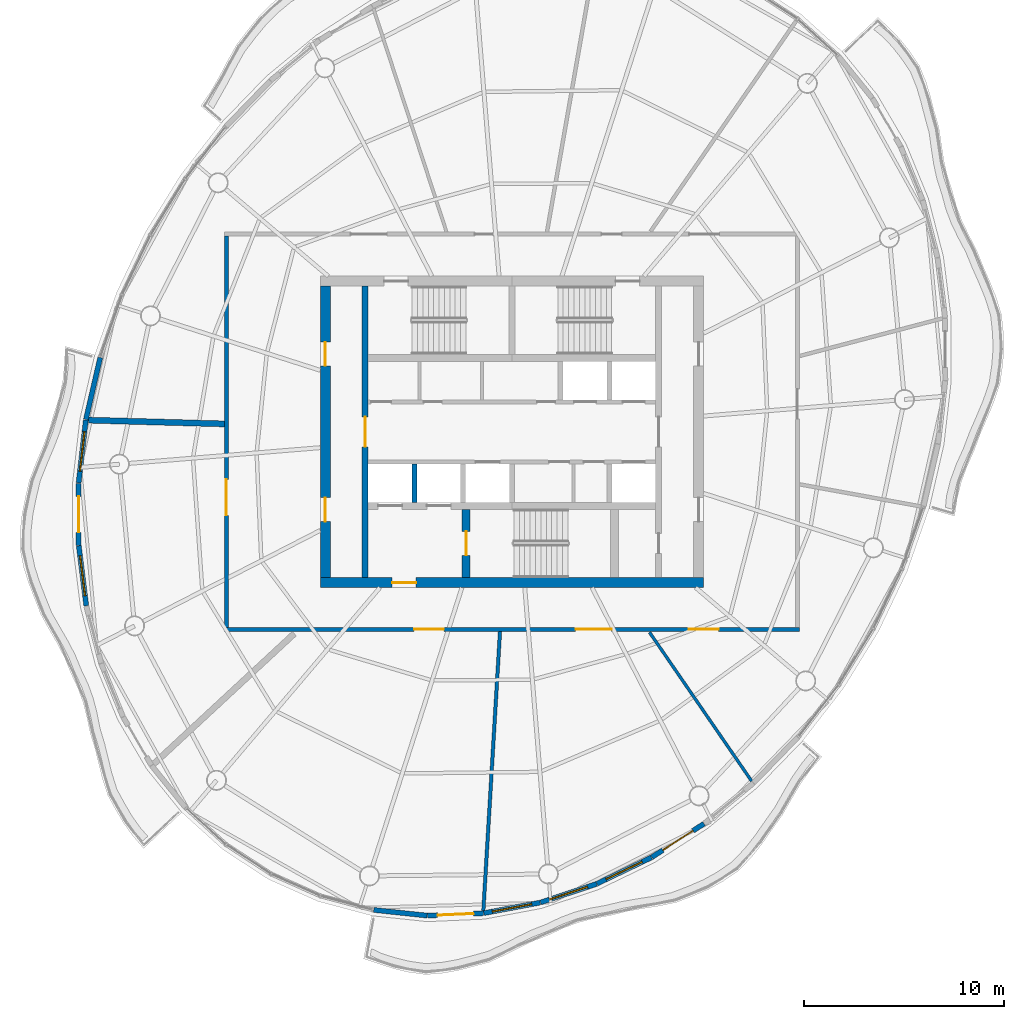
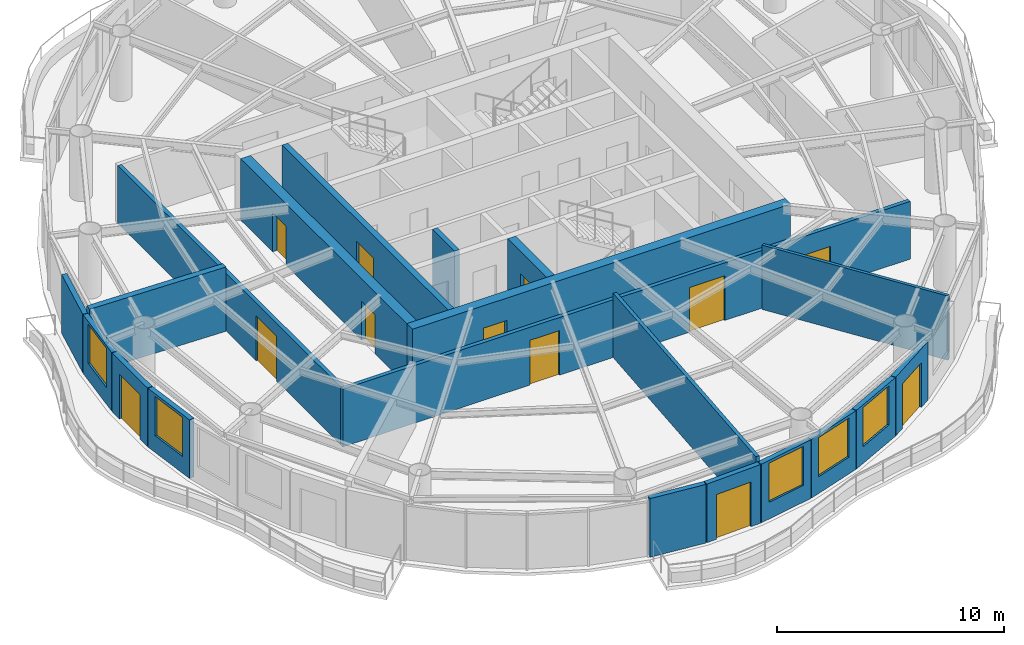
# One storey, part 7 of 13: 20 walls, 12 doors, 5 windows, 17 openings.
"""IFC4 building model written with IfcOpenShell, lengths in metres."""

from ifc_helpers import new_model, si_unit, direction, frame, frame_2d, origin, place, context, subcontext, project, spatial, rectangle, extrude, material, layer, layer_set, type_object, element, fill, save


model = new_model("IFC4")

# Units and contexts
model_context = context("Model", 3, precision=1e-05, world=origin(), true_north=direction((0.0, 1.0)))
body_context = subcontext(model_context, "Body", "Model", "MODEL_VIEW")
ifc_project = project(units=[si_unit("LENGTHUNIT", "METRE"), si_unit("AREAUNIT", "SQUARE_METRE"), si_unit("VOLUMEUNIT", "CUBIC_METRE"), si_unit("PLANEANGLEUNIT", "RADIAN"), si_unit("MASSUNIT", "GRAM", prefix="KILO")], contexts=[model_context])

# Site, building, storey
site_placement = place(None, origin())
site = spatial("IfcSite", under=ifc_project, at=site_placement, CompositionType="ELEMENT")
building_placement = place(site_placement, origin())
building = spatial("IfcBuilding", under=site, at=building_placement, Name="Vermilion Reach Broadcast Tower", CompositionType="ELEMENT")
storey_placement = place(building_placement, frame((0.0, 0.0, 279.300048828125)))
storey = spatial("IfcBuildingStorey", under=building, at=storey_placement, Name="L69", CompositionType="ELEMENT", Elevation=279.300048828125)

# Wall, opening, door
ifc_material_1 = material(Name="Concrete C50", Category="concrete")
ifc_layer_1 = layer(ifc_material_1, 0.300048828125)
ifc_layer_set_1 = layer_set([ifc_layer_1], Name="Core inner wall 300 mm Concrete C50")
wall_type_1 = type_object("IfcWallType", Name="Core inner wall 300 mm Concrete C50", PredefinedType="SHEAR", material=ifc_layer_set_1)
wall_1_placement = place(storey_placement, frame((-13.35009765625, 7.300048828125, 0.0), z_axis=(0.0, 0.0, 1.0), x_axis=(0.0, -1.0, 0.0)))
wall_1 = element("IfcWall", 1, at=wall_1_placement, inside=storey, type_object=wall_type_1, Name="L69 core wall ewW", PredefinedType="SHEAR", context=body_context, shape_type="SweptSolid", body=[
    extrude(rectangle(XDim=14.60009765625, YDim=0.300048828125, at=frame_2d((7.300048828125, 0.0))), origin(), (0.0, 0.0, 1.0), 3.300048828125),
])
opening_1_placement = place(wall_1_placement, frame((6.550048828125, 0.0, 0.0)))
opening_1 = element("IfcOpeningElement", 2, at=opening_1_placement, cuts=wall_1, Name="Opening D04", PredefinedType="OPENING", context=body_context, shape_type="SweptSolid", body=[
    extrude(rectangle(XDim=1.5, YDim=2.10009765625, at=frame_2d((0.75, 1.050048828125))), frame((0.0, 0.159912109375, 0.0), z_axis=(0.0, -1.0, 0.0), x_axis=(1.0, 0.0, 0.0)), (0.0, 0.0, 1.0), 0.320068359375),
])
ifc_material_2 = material(Name="Painted steel fire door", Category="steel")
door_type_1 = type_object("IfcDoorType", Name="Lift lobby door 1500 x 2100", OperationType="DOUBLE_DOOR_SINGLE_SWING", PredefinedType="NOTDEFINED", material=ifc_material_2)
door_1_placement = place(opening_1_placement, origin())
door_1 = element("IfcDoor", 3, at=door_1_placement, inside=storey, type_object=door_type_1, Name="L69 band door BW", OperationType="DOUBLE_DOOR_SINGLE_SWING", OverallHeight=2.10009765625, OverallWidth=1.5, PredefinedType="NOTDEFINED", context=body_context, shape_type="SweptSolid", body=[
    extrude(rectangle(XDim=1.5, YDim=2.10009765625, at=frame_2d((0.75, 1.050048828125))), frame((0.0, 0.02490234375, 0.0), z_axis=(0.0, -1.0, 0.0), x_axis=(1.0, 0.0, 0.0)), (0.0, 0.0, 1.0), 0.050048828125),
])
fill(opening_1, door_1)

ifc_material_3 = material(Name="Concrete C50", Category="concrete")
ifc_layer_2 = layer(ifc_material_3, 0.39990234375)
ifc_layer_set_2 = layer_set([ifc_layer_2], Name="Core inner wall 400 mm Concrete C50")
wall_type_2 = type_object("IfcWallType", Name="Core inner wall 400 mm Concrete C50", PredefinedType="SHEAR", material=ifc_layer_set_2)
wall_2_placement = place(storey_placement, frame((-8.300048828125, -3.8798828125, 0.0), z_axis=(0.0, 0.0, 1.0), x_axis=(0.0, -1.0, 0.0)))
wall_2 = element("IfcWall", 4, at=wall_2_placement, inside=storey, type_object=wall_type_2, Name="L69 core wall wa", PredefinedType="SHEAR", context=body_context, shape_type="SweptSolid", body=[
    extrude(rectangle(XDim=3.420166015625, YDim=0.39990234375, at=frame_2d((1.7099609375, 0.0))), origin(), (0.0, 0.0, 1.0), 3.300048828125),
])
opening_2_placement = place(wall_2_placement, frame((1.110107421875, 0.0, 0.0)))
opening_2 = element("IfcOpeningElement", 5, at=opening_2_placement, cuts=wall_2, Name="Opening D01", PredefinedType="OPENING", context=body_context, shape_type="SweptSolid", body=[
    extrude(rectangle(XDim=1.199951171875, YDim=2.10009765625, at=frame_2d((0.60009765625, 1.050048828125))), frame((0.0, 0.2099609375, 0.0), z_axis=(0.0, -1.0, 0.0), x_axis=(1.0, 0.0, 0.0)), (0.0, 0.0, 1.0), 0.419921875),
])
ifc_material_4 = material(Name="Painted steel fire door", Category="steel")
door_type_2 = type_object("IfcDoorType", Name="Stair door 1200 x 2100", OperationType="DOUBLE_DOOR_SINGLE_SWING", PredefinedType="NOTDEFINED", material=ifc_material_4)
door_2_placement = place(opening_2_placement, origin())
door_2 = element("IfcDoor", 6, at=door_2_placement, inside=storey, type_object=door_type_2, Name="L69 stair door ST3", OperationType="DOUBLE_DOOR_SINGLE_SWING", OverallHeight=2.10009765625, OverallWidth=1.199951171875, PredefinedType="NOTDEFINED", context=body_context, shape_type="SweptSolid", body=[
    extrude(rectangle(XDim=1.199951171875, YDim=2.10009765625, at=frame_2d((0.60009765625, 1.050048828125))), frame((0.0, 0.02490234375, 0.0), z_axis=(0.0, -1.0, 0.0), x_axis=(1.0, 0.0, 0.0)), (0.0, 0.0, 1.0), 0.050048828125),
])
fill(opening_2, door_2)

ifc_material_5 = material(Name="Concrete C50", Category="concrete")
ifc_layer_3 = layer(ifc_material_5, 0.5)
ifc_layer_set_3 = layer_set([ifc_layer_3], Name="Core outer wall 500 mm Concrete C50")
wall_type_3 = type_object("IfcWallType", Name="Core outer wall 500 mm Concrete C50", PredefinedType="SHEAR", material=ifc_layer_set_3)
wall_3_placement = place(storey_placement, frame((-15.60009765625, -7.550048828125, 0.0), z_axis=(0.0, 0.0, 1.0), x_axis=(1.0, 0.0, 0.0)))
wall_3 = element("IfcWall", 7, at=wall_3_placement, inside=storey, type_object=wall_type_3, Name="L69 core wall os", PredefinedType="SHEAR", context=body_context, shape_type="SweptSolid", body=[
    extrude(rectangle(XDim=19.2001953125, YDim=0.5, at=frame_2d((9.60009765625, 0.0))), origin(), (0.0, 0.0, 1.0), 3.300048828125),
])
opening_3_placement = place(wall_3_placement, frame((3.60009765625, 0.0, 0.0)))
opening_3 = element("IfcOpeningElement", 8, at=opening_3_placement, cuts=wall_3, Name="Opening D02", PredefinedType="OPENING", context=body_context, shape_type="SweptSolid", body=[
    extrude(rectangle(XDim=1.199951171875, YDim=2.10009765625, at=frame_2d((0.60009765625, 1.050048828125))), frame((0.0, 0.260009765625, 0.0), z_axis=(0.0, -1.0, 0.0), x_axis=(1.0, 0.0, 0.0)), (0.0, 0.0, 1.0), 0.52001953125),
])
ifc_material_6 = material(Name="Painted steel fire door", Category="steel")
door_type_3 = type_object("IfcDoorType", Name="Firefighting lobby door 1200 x 2100", OperationType="DOUBLE_DOOR_SINGLE_SWING", PredefinedType="NOTDEFINED", material=ifc_material_6)
door_3_placement = place(opening_3_placement, origin())
door_3 = element("IfcDoor", 9, at=door_3_placement, inside=storey, type_object=door_type_3, Name="L69 ffdoor door FFL", OperationType="DOUBLE_DOOR_SINGLE_SWING", OverallHeight=2.10009765625, OverallWidth=1.199951171875, PredefinedType="NOTDEFINED", context=body_context, shape_type="SweptSolid", body=[
    extrude(rectangle(XDim=1.199951171875, YDim=2.10009765625, at=frame_2d((0.60009765625, 1.050048828125))), frame((0.0, 0.02490234375, 0.0), z_axis=(0.0, -1.0, 0.0), x_axis=(1.0, 0.0, 0.0)), (0.0, 0.0, 1.0), 0.050048828125),
])
fill(opening_3, door_3)

# Wall, openings, doors
wall_4_placement = place(storey_placement, frame((-15.35009765625, 7.300048828125, 0.0), z_axis=(0.0, 0.0, 1.0), x_axis=(0.0, -1.0, 0.0)))
wall_4 = element("IfcWall", 10, at=wall_4_placement, inside=storey, type_object=wall_type_3, Name="L69 core wall ow", PredefinedType="SHEAR", context=body_context, shape_type="SweptSolid", body=[
    extrude(rectangle(XDim=14.60009765625, YDim=0.5, at=frame_2d((7.300048828125, 0.0))), origin(), (0.0, 0.0, 1.0), 3.300048828125),
])
opening_4_placement = place(wall_4_placement, frame((10.60009765625, 0.0, 0.0)))
opening_4 = element("IfcOpeningElement", 11, at=opening_4_placement, cuts=wall_4, Name="Opening D03", PredefinedType="OPENING", context=body_context, shape_type="SweptSolid", body=[
    extrude(rectangle(XDim=1.199951171875, YDim=2.10009765625, at=frame_2d((0.60009765625, 1.050048828125))), frame((0.0, 0.260009765625, 0.0), z_axis=(0.0, -1.0, 0.0), x_axis=(1.0, 0.0, 0.0)), (0.0, 0.0, 1.0), 0.52001953125),
])
opening_5_placement = place(wall_4_placement, frame((2.800048828125, 0.0, 0.0)))
opening_5 = element("IfcOpeningElement", 12, at=opening_5_placement, cuts=wall_4, Name="Opening D03", PredefinedType="OPENING", context=body_context, shape_type="SweptSolid", body=[
    extrude(rectangle(XDim=1.199951171875, YDim=2.10009765625, at=frame_2d((0.60009765625, 1.050048828125))), frame((0.0, 0.260009765625, 0.0), z_axis=(0.0, -1.0, 0.0), x_axis=(1.0, 0.0, 0.0)), (0.0, 0.0, 1.0), 0.52001953125),
])
ifc_material_7 = material(Name="Painted steel fire door", Category="steel")
door_type_4 = type_object("IfcDoorType", Name="Core lobby door 1200 x 2100", OperationType="DOUBLE_DOOR_SINGLE_SWING", PredefinedType="NOTDEFINED", material=ifc_material_7)
door_4_placement = place(opening_4_placement, origin())
door_4 = element("IfcDoor", 13, at=door_4_placement, inside=storey, type_object=door_type_4, Name="L69 slot door W0", OperationType="DOUBLE_DOOR_SINGLE_SWING", OverallHeight=2.10009765625, OverallWidth=1.199951171875, PredefinedType="NOTDEFINED", context=body_context, shape_type="SweptSolid", body=[
    extrude(rectangle(XDim=1.199951171875, YDim=2.10009765625, at=frame_2d((0.60009765625, 1.050048828125))), frame((0.0, 0.02490234375, 0.0), z_axis=(0.0, -1.0, 0.0), x_axis=(1.0, 0.0, 0.0)), (0.0, 0.0, 1.0), 0.050048828125),
])
fill(opening_4, door_4)
door_5_placement = place(opening_5_placement, origin())
door_5 = element("IfcDoor", 14, at=door_5_placement, inside=storey, type_object=door_type_4, Name="L69 slot door W1", OperationType="DOUBLE_DOOR_SINGLE_SWING", OverallHeight=2.10009765625, OverallWidth=1.199951171875, PredefinedType="NOTDEFINED", context=body_context, shape_type="SweptSolid", body=[
    extrude(rectangle(XDim=1.199951171875, YDim=2.10009765625, at=frame_2d((0.60009765625, 1.050048828125))), frame((0.0, 0.02490234375, 0.0), z_axis=(0.0, -1.0, 0.0), x_axis=(1.0, 0.0, 0.0)), (0.0, 0.0, 1.0), 0.050048828125),
])
fill(opening_5, door_5)

# Walls
ifc_material_8 = material(Name="Concrete C50", Category="concrete")
ifc_layer_4 = layer(ifc_material_8, 0.25)
ifc_layer_set_4 = layer_set([ifc_layer_4], Name="Core shaft wall 250 mm Concrete C50")
wall_type_4 = type_object("IfcWallType", Name="Core shaft wall 250 mm Concrete C50", PredefinedType="SHEAR", material=ifc_layer_set_4)
wall_5_placement = place(storey_placement, frame((-10.88330078125, -1.60009765625, 0.0), z_axis=(0.0, 0.0, 1.0), x_axis=(0.0, -1.0, 0.0)))
element("IfcWall", 15, at=wall_5_placement, inside=storey, type_object=wall_type_4, Name="L69 core wall psS0", PredefinedType="SHEAR", context=body_context, shape_type="SweptSolid", body=[
    extrude(rectangle(XDim=1.929931640625, YDim=0.25, at=frame_2d((0.96484375, 0.0))), origin(), (0.0, 0.0, 1.0), 3.300048828125),
])
ifc_material_9 = material(Name="Lightweight concrete block, plastered", Category="concrete")
ifc_layer_5 = layer(ifc_material_9, 0.14990234375)
ifc_layer_set_5 = layer_set([ifc_layer_5], Name="Partition 150 lightweight block")
wall_type_5 = type_object("IfcWallType", Name="Partition 150 lightweight block", PredefinedType="PARTITIONING", material=ifc_layer_set_5)
wall_6_placement = place(storey_placement, frame((6.012939453125, -17.5029296875, 0.0), z_axis=(0.0, 0.0, 1.0), x_axis=(-0.565875944345, 0.824490397525, 0.0)))
element("IfcWall", 16, at=wall_6_placement, inside=storey, type_object=wall_type_5, Name="Partition 69.06", PredefinedType="PARTITIONING", context=body_context, shape_type="SweptSolid", body=[
    extrude(rectangle(XDim=9.048583984375, YDim=0.14990234375, at=frame_2d((4.5244140625, 0.0))), origin(), (0.0, 0.0, 1.0), 3.449951171875),
])
ifc_material_10 = material(Name="Fire-rated block, plastered")
ifc_layer_6 = layer(ifc_material_10, 0.175048828125)
ifc_layer_set_6 = layer_set([ifc_layer_6], Name="Partition 175 fire-rated block")
wall_type_6 = type_object("IfcWallType", Name="Partition 175 fire-rated block", PredefinedType="PARTITIONING", material=ifc_layer_set_6)
wall_7_placement = place(storey_placement, frame((-7.43115234375, -23.989501953125, 0.0), z_axis=(0.0, 0.0, 1.0), x_axis=(0.059548467955, 0.998225415407, 0.0)))
element("IfcWall", 17, at=wall_7_placement, inside=storey, type_object=wall_type_6, Name="Partition 69.05", PredefinedType="PARTITIONING", context=body_context, shape_type="SweptSolid", body=[
    extrude(rectangle(XDim=14.00927734375, YDim=0.175048828125, at=frame_2d((7.004638671875, 0.0))), origin(), (0.0, 0.0, 1.0), 3.449951171875),
])
ifc_material_11 = material(Name="Double-leaf plasterboard on isolated steel stud", Category="steel")
ifc_layer_7 = layer(ifc_material_11, 0.300048828125)
ifc_layer_set_7 = layer_set([ifc_layer_7], Name="Partition 300 acoustic double leaf")
wall_type_7 = type_object("IfcWallType", Name="Partition 300 acoustic double leaf", PredefinedType="PARTITIONING", material=ifc_layer_set_7)
wall_8_placement = place(storey_placement, frame((-27.220703125, 0.586669921875, 0.0), z_axis=(0.0, 0.0, 1.0), x_axis=(0.999617973276, -0.027638876665, 0.0)))
element("IfcWall", 18, at=wall_8_placement, inside=storey, type_object=wall_type_7, Name="Partition 69.03", PredefinedType="PARTITIONING", context=body_context, shape_type="SweptSolid", body=[
    extrude(rectangle(XDim=6.8193359375, YDim=0.300048828125, at=frame_2d((3.40966796875, 0.0))), origin(), (0.0, 0.0, 1.0), 3.449951171875),
])
ifc_material_12 = material(Name="Terracotta rainscreen cladding", Category="masonry")
ifc_layer_8 = layer(ifc_material_12, 0.25)
ifc_layer_set_8 = layer_set([ifc_layer_8], Name="Terracotta rainscreen wall 250")
wall_type_8 = type_object("IfcWallType", Name="Terracotta rainscreen wall 250", PredefinedType="SOLIDWALL", material=ifc_layer_set_8)
wall_9_placement = place(storey_placement, frame((-26.624755859375, 3.71875, 0.0), z_axis=(0.0, 0.0, 1.0), x_axis=(-0.225201327467, -0.974312250825, 0.0)))
element("IfcWall", 19, at=wall_9_placement, inside=storey, type_object=wall_type_8, Name="External wall L69 14", PredefinedType="SOLIDWALL", context=body_context, shape_type="SweptSolid", body=[
    extrude(rectangle(XDim=3.181884765625, YDim=0.25, at=frame_2d((1.5908203125, 0.0))), origin(), (0.0, 0.0, 1.0), 3.14990234375),
])

# Wall, opening, window
wall_10_placement = place(storey_placement, frame((-27.344970703125, 0.596923828125, 0.0), z_axis=(0.0, 0.0, 1.0), x_axis=(-0.114197656454, -0.993458049069, 0.0)))
wall_10 = element("IfcWall", 20, at=wall_10_placement, inside=storey, type_object=wall_type_8, Name="External wall L69 15", PredefinedType="SOLIDWALL", context=body_context, shape_type="SweptSolid", body=[
    extrude(rectangle(XDim=3.172607421875, YDim=0.25, at=frame_2d((1.58642578125, 0.0))), origin(), (0.0, 0.0, 1.0), 3.14990234375),
])
opening_6_placement = place(wall_10_placement, frame((0.586181640625, 0.0, 0.89990234375)))
opening_6 = element("IfcOpeningElement", 21, at=opening_6_placement, cuts=wall_10, Name="Opening W03", PredefinedType="OPENING", context=body_context, shape_type="SweptSolid", body=[
    extrude(rectangle(XDim=2.0, YDim=2.10009765625, at=frame_2d((1.0, 1.050048828125))), frame((0.0, 0.135009765625, 0.0), z_axis=(0.0, -1.0, 0.0), x_axis=(1.0, 0.0, 0.0)), (0.0, 0.0, 1.0), 0.27001953125),
])
ifc_material_13 = material(Name="Low-e laminated clear glass in aluminium frame", Category="aluminium")
window_type = type_object("IfcWindowType", Name="Punched window 2000 x 2100 sill 900", PartitioningType="SINGLE_PANEL", PredefinedType="WINDOW", material=ifc_material_13)
window_1_placement = place(opening_6_placement, origin())
window_1 = element("IfcWindow", 22, at=window_1_placement, inside=storey, type_object=window_type, Name="Window L69 15", OverallHeight=2.10009765625, OverallWidth=2.0, PartitioningType="SINGLE_PANEL", PredefinedType="WINDOW", context=body_context, shape_type="SweptSolid", body=[
    extrude(rectangle(XDim=2.0, YDim=2.10009765625, at=frame_2d((1.0, 1.050048828125))), frame((0.0, 0.030029296875, 0.0), z_axis=(0.0, -1.0, 0.0), x_axis=(1.0, 0.0, 0.0)), (0.0, 0.0, 1.0), 0.06005859375),
])
fill(opening_6, window_1)

# Wall, opening, door
wall_11_placement = place(storey_placement, frame((-27.70849609375, -2.577392578125, 0.0), z_axis=(0.0, 0.0, 1.0), x_axis=(0.002436716551, -0.999997031202, 0.0)))
wall_11 = element("IfcWall", 23, at=wall_11_placement, inside=storey, type_object=wall_type_8, Name="External wall L69 16", PredefinedType="SOLIDWALL", context=body_context, shape_type="SweptSolid", body=[
    extrude(rectangle(XDim=3.10595703125, YDim=0.25, at=frame_2d((1.552978515625, 0.0))), origin(), (0.0, 0.0, 1.0), 3.14990234375),
])
opening_7_placement = place(wall_11_placement, frame((0.653076171875, 0.0, 0.0)))
opening_7 = element("IfcOpeningElement", 24, at=opening_7_placement, cuts=wall_11, Name="Opening D70", PredefinedType="OPENING", context=body_context, shape_type="SweptSolid", body=[
    extrude(rectangle(XDim=1.800048828125, YDim=2.39990234375, at=frame_2d((0.89990234375, 1.199951171875))), frame((0.0, 0.135009765625, 0.0), z_axis=(0.0, -1.0, 0.0), x_axis=(1.0, 0.0, 0.0)), (0.0, 0.0, 1.0), 0.27001953125),
])
ifc_material_14 = material(Name="Low-e laminated clear glass in aluminium frame", Category="aluminium")
door_type_5 = type_object("IfcDoorType", Name="Balcony sliding door 1800 x 2400", OperationType="DOUBLE_DOOR_SLIDING", PredefinedType="DOOR", material=ifc_material_14)
door_6_placement = place(opening_7_placement, origin())
door_6 = element("IfcDoor", 25, at=door_6_placement, inside=storey, type_object=door_type_5, Name="Balcony door L69 run 04", OperationType="DOUBLE_DOOR_SLIDING", OverallHeight=2.39990234375, OverallWidth=1.800048828125, PredefinedType="DOOR", context=body_context, shape_type="SweptSolid", body=[
    extrude(rectangle(XDim=1.800048828125, YDim=2.39990234375, at=frame_2d((0.89990234375, 1.199951171875))), frame((0.0, 0.02490234375, 0.0), z_axis=(0.0, -1.0, 0.0), x_axis=(1.0, 0.0, 0.0)), (0.0, 0.0, 1.0), 0.050048828125),
])
fill(opening_7, door_6)

# Wall, opening, window
wall_12_placement = place(storey_placement, frame((-27.699462890625, -5.70654296875, 0.0), z_axis=(0.0, 0.0, 1.0), x_axis=(0.124342190255, -0.992239396377, 0.0)))
wall_12 = element("IfcWall", 26, at=wall_12_placement, inside=storey, type_object=wall_type_8, Name="External wall L69 17", PredefinedType="SOLIDWALL", context=body_context, shape_type="SweptSolid", body=[
    extrude(rectangle(XDim=3.029541015625, YDim=0.25, at=frame_2d((1.5146484375, 0.0))), origin(), (0.0, 0.0, 1.0), 3.14990234375),
])
opening_8_placement = place(wall_12_placement, frame((0.514892578125, 0.0, 0.89990234375)))
opening_8 = element("IfcOpeningElement", 27, at=opening_8_placement, cuts=wall_12, Name="Opening W03", PredefinedType="OPENING", context=body_context, shape_type="SweptSolid", body=[
    extrude(rectangle(XDim=2.0, YDim=2.10009765625, at=frame_2d((1.0, 1.050048828125))), frame((0.0, 0.135009765625, 0.0), z_axis=(0.0, -1.0, 0.0), x_axis=(1.0, 0.0, 0.0)), (0.0, 0.0, 1.0), 0.27001953125),
])
window_2_placement = place(opening_8_placement, origin())
window_2 = element("IfcWindow", 28, at=window_2_placement, inside=storey, type_object=window_type, Name="Window L69 17", OverallHeight=2.10009765625, OverallWidth=2.0, PartitioningType="SINGLE_PANEL", PredefinedType="WINDOW", context=body_context, shape_type="SweptSolid", body=[
    extrude(rectangle(XDim=2.0, YDim=2.10009765625, at=frame_2d((1.0, 1.050048828125))), frame((0.0, 0.030029296875, 0.0), z_axis=(0.0, -1.0, 0.0), x_axis=(1.0, 0.0, 0.0)), (0.0, 0.0, 1.0), 0.06005859375),
])
fill(opening_8, window_2)

# Wall
wall_13_placement = place(storey_placement, frame((-12.922119140625, -23.950439453125, 0.0), z_axis=(0.0, 0.0, 1.0), x_axis=(0.99441306122, -0.105558816192, 0.0)))
element("IfcWall", 29, at=wall_13_placement, inside=storey, type_object=wall_type_8, Name="External wall L69 26", PredefinedType="SOLIDWALL", context=body_context, shape_type="SweptSolid", body=[
    extrude(rectangle(XDim=2.68994140625, YDim=0.25, at=frame_2d((1.344970703125, 0.0))), origin(), (0.0, 0.0, 1.0), 3.14990234375),
])

# Wall, opening, door
wall_14_placement = place(storey_placement, frame((-10.220703125, -24.235107421875, 0.0), z_axis=(0.0, 0.0, 1.0), x_axis=(0.999063892299, 0.043258977142, 0.0)))
wall_14 = element("IfcWall", 30, at=wall_14_placement, inside=storey, type_object=wall_type_8, Name="External wall L69 27", PredefinedType="SOLIDWALL", context=body_context, shape_type="SweptSolid", body=[
    extrude(rectangle(XDim=2.793701171875, YDim=0.25, at=frame_2d((1.39697265625, 0.0))), origin(), (0.0, 0.0, 1.0), 3.14990234375),
])
opening_9_placement = place(wall_14_placement, frame((0.4970703125, 0.0, 0.0)))
opening_9 = element("IfcOpeningElement", 31, at=opening_9_placement, cuts=wall_14, Name="Opening D70", PredefinedType="OPENING", context=body_context, shape_type="SweptSolid", body=[
    extrude(rectangle(XDim=1.800048828125, YDim=2.39990234375, at=frame_2d((0.89990234375, 1.199951171875))), frame((0.0, 0.135009765625, 0.0), z_axis=(0.0, -1.0, 0.0), x_axis=(1.0, 0.0, 0.0)), (0.0, 0.0, 1.0), 0.27001953125),
])
door_7_placement = place(opening_9_placement, origin())
door_7 = element("IfcDoor", 32, at=door_7_placement, inside=storey, type_object=door_type_5, Name="Balcony door L69 run 07", OperationType="DOUBLE_DOOR_SLIDING", OverallHeight=2.39990234375, OverallWidth=1.800048828125, PredefinedType="DOOR", context=body_context, shape_type="SweptSolid", body=[
    extrude(rectangle(XDim=1.800048828125, YDim=2.39990234375, at=frame_2d((0.89990234375, 1.199951171875))), frame((0.0, 0.02490234375, 0.0), z_axis=(0.0, -1.0, 0.0), x_axis=(1.0, 0.0, 0.0)), (0.0, 0.0, 1.0), 0.050048828125),
])
fill(opening_9, door_7)

# Wall, opening, window
wall_15_placement = place(storey_placement, frame((-7.404052734375, -24.111328125, 0.0), z_axis=(0.0, 0.0, 1.0), x_axis=(0.982821071431, 0.184560942647, 0.0)))
wall_15 = element("IfcWall", 33, at=wall_15_placement, inside=storey, type_object=wall_type_8, Name="External wall L69 28", PredefinedType="SOLIDWALL", context=body_context, shape_type="SweptSolid", body=[
    extrude(rectangle(XDim=2.867919921875, YDim=0.25, at=frame_2d((1.43408203125, 0.0))), origin(), (0.0, 0.0, 1.0), 3.14990234375),
])
opening_10_placement = place(wall_15_placement, frame((0.433837890625, 0.0, 0.89990234375)))
opening_10 = element("IfcOpeningElement", 34, at=opening_10_placement, cuts=wall_15, Name="Opening W03", PredefinedType="OPENING", context=body_context, shape_type="SweptSolid", body=[
    extrude(rectangle(XDim=2.0, YDim=2.10009765625, at=frame_2d((1.0, 1.050048828125))), frame((0.0, 0.135009765625, 0.0), z_axis=(0.0, -1.0, 0.0), x_axis=(1.0, 0.0, 0.0)), (0.0, 0.0, 1.0), 0.27001953125),
])
window_3_placement = place(opening_10_placement, origin())
window_3 = element("IfcWindow", 35, at=window_3_placement, inside=storey, type_object=window_type, Name="Window L69 28", OverallHeight=2.10009765625, OverallWidth=2.0, PartitioningType="SINGLE_PANEL", PredefinedType="WINDOW", context=body_context, shape_type="SweptSolid", body=[
    extrude(rectangle(XDim=2.0, YDim=2.10009765625, at=frame_2d((1.0, 1.050048828125))), frame((0.0, 0.030029296875, 0.0), z_axis=(0.0, -1.0, 0.0), x_axis=(1.0, 0.0, 0.0)), (0.0, 0.0, 1.0), 0.06005859375),
])
fill(opening_10, window_3)

wall_16_placement = place(storey_placement, frame((-4.5615234375, -23.575927734375, 0.0), z_axis=(0.0, 0.0, 1.0), x_axis=(0.948964440236, 0.315383086368, 0.0)))
wall_16 = element("IfcWall", 36, at=wall_16_placement, inside=storey, type_object=wall_type_8, Name="External wall L69 29", PredefinedType="SOLIDWALL", context=body_context, shape_type="SweptSolid", body=[
    extrude(rectangle(XDim=2.948486328125, YDim=0.25, at=frame_2d((1.47412109375, 0.0))), origin(), (0.0, 0.0, 1.0), 3.14990234375),
])
opening_11_placement = place(wall_16_placement, frame((0.47412109375, 0.0, 0.89990234375)))
opening_11 = element("IfcOpeningElement", 37, at=opening_11_placement, cuts=wall_16, Name="Opening W03", PredefinedType="OPENING", context=body_context, shape_type="SweptSolid", body=[
    extrude(rectangle(XDim=2.0, YDim=2.10009765625, at=frame_2d((1.0, 1.050048828125))), frame((0.0, 0.135009765625, 0.0), z_axis=(0.0, -1.0, 0.0), x_axis=(1.0, 0.0, 0.0)), (0.0, 0.0, 1.0), 0.27001953125),
])
window_4_placement = place(opening_11_placement, origin())
window_4 = element("IfcWindow", 38, at=window_4_placement, inside=storey, type_object=window_type, Name="Window L69 29", OverallHeight=2.10009765625, OverallWidth=2.0, PartitioningType="SINGLE_PANEL", PredefinedType="WINDOW", context=body_context, shape_type="SweptSolid", body=[
    extrude(rectangle(XDim=2.0, YDim=2.10009765625, at=frame_2d((1.0, 1.050048828125))), frame((0.0, 0.030029296875, 0.0), z_axis=(0.0, -1.0, 0.0), x_axis=(1.0, 0.0, 0.0)), (0.0, 0.0, 1.0), 0.06005859375),
])
fill(opening_11, window_4)

wall_17_placement = place(storey_placement, frame((-1.7412109375, -22.636962890625, 0.0), z_axis=(0.0, 0.0, 1.0), x_axis=(0.900781065891, 0.434273498308, 0.0)))
wall_17 = element("IfcWall", 39, at=wall_17_placement, inside=storey, type_object=wall_type_8, Name="External wall L69 30", PredefinedType="SOLIDWALL", context=body_context, shape_type="SweptSolid", body=[
    extrude(rectangle(XDim=3.029541015625, YDim=0.25, at=frame_2d((1.5146484375, 0.0))), origin(), (0.0, 0.0, 1.0), 3.14990234375),
])
opening_12_placement = place(wall_17_placement, frame((0.514892578125, 0.0, 0.89990234375)))
opening_12 = element("IfcOpeningElement", 40, at=opening_12_placement, cuts=wall_17, Name="Opening W03", PredefinedType="OPENING", context=body_context, shape_type="SweptSolid", body=[
    extrude(rectangle(XDim=2.0, YDim=2.10009765625, at=frame_2d((1.0, 1.050048828125))), frame((0.0, 0.135009765625, 0.0), z_axis=(0.0, -1.0, 0.0), x_axis=(1.0, 0.0, 0.0)), (0.0, 0.0, 1.0), 0.27001953125),
])
window_5_placement = place(opening_12_placement, origin())
window_5 = element("IfcWindow", 41, at=window_5_placement, inside=storey, type_object=window_type, Name="Window L69 30", OverallHeight=2.10009765625, OverallWidth=2.0, PartitioningType="SINGLE_PANEL", PredefinedType="WINDOW", context=body_context, shape_type="SweptSolid", body=[
    extrude(rectangle(XDim=2.0, YDim=2.10009765625, at=frame_2d((1.0, 1.050048828125))), frame((0.0, 0.030029296875, 0.0), z_axis=(0.0, -1.0, 0.0), x_axis=(1.0, 0.0, 0.0)), (0.0, 0.0, 1.0), 0.06005859375),
])
fill(opening_12, window_5)

# Wall, opening, door
wall_18_placement = place(storey_placement, frame((1.008056640625, -21.31005859375, 0.0), z_axis=(0.0, 0.0, 1.0), x_axis=(0.841150380815, 0.540801291469, 0.0)))
wall_18 = element("IfcWall", 42, at=wall_18_placement, inside=storey, type_object=wall_type_8, Name="External wall L69 31", PredefinedType="SOLIDWALL", context=body_context, shape_type="SweptSolid", body=[
    extrude(rectangle(XDim=3.10595703125, YDim=0.25, at=frame_2d((1.552978515625, 0.0))), origin(), (0.0, 0.0, 1.0), 3.14990234375),
])
opening_13_placement = place(wall_18_placement, frame((0.653076171875, 0.0, 0.0)))
opening_13 = element("IfcOpeningElement", 43, at=opening_13_placement, cuts=wall_18, Name="Opening D70", PredefinedType="OPENING", context=body_context, shape_type="SweptSolid", body=[
    extrude(rectangle(XDim=1.800048828125, YDim=2.39990234375, at=frame_2d((0.89990234375, 1.199951171875))), frame((0.0, 0.135009765625, 0.0), z_axis=(0.0, -1.0, 0.0), x_axis=(1.0, 0.0, 0.0)), (0.0, 0.0, 1.0), 0.27001953125),
])
door_8_placement = place(opening_13_placement, origin())
door_8 = element("IfcDoor", 44, at=door_8_placement, inside=storey, type_object=door_type_5, Name="Balcony door L69 run 08", OperationType="DOUBLE_DOOR_SLIDING", OverallHeight=2.39990234375, OverallWidth=1.800048828125, PredefinedType="DOOR", context=body_context, shape_type="SweptSolid", body=[
    extrude(rectangle(XDim=1.800048828125, YDim=2.39990234375, at=frame_2d((0.89990234375, 1.199951171875))), frame((0.0, 0.02490234375, 0.0), z_axis=(0.0, -1.0, 0.0), x_axis=(1.0, 0.0, 0.0)), (0.0, 0.0, 1.0), 0.050048828125),
])
fill(opening_13, door_8)

# Wall, openings, doors
ifc_material_15 = material(Name="Fire-rated gypsum board partition")
ifc_layer_9 = layer(ifc_material_15, 0.199951171875)
ifc_layer_set_9 = layer_set([ifc_layer_9], Name="Under girder: Corridor wall 200 fire-rated")
wall_type_9 = type_object("IfcWallType", Name="Under girder: Corridor wall 200 fire-rated", PredefinedType="PARTITIONING", material=ifc_layer_set_9)
wall_19_placement = place(storey_placement, frame((8.39990234375, -9.89990234375, 0.0), z_axis=(0.0, 0.0, 1.0), x_axis=(-1.0, 0.0, 0.0)))
wall_19 = element("IfcWall", 45, at=wall_19_placement, inside=storey, type_object=wall_type_9, Name="Corridor wall 69.S", PredefinedType="PARTITIONING", context=body_context, shape_type="SweptSolid", body=[
    extrude(rectangle(XDim=28.7998046875, YDim=0.199951171875, at=frame_2d((14.39990234375, 0.0))), origin(), (0.0, 0.0, 1.0), 3.099853515625),
])
opening_14_placement = place(wall_19_placement, frame((17.8037109375, 0.0, 0.0)))
opening_14 = element("IfcOpeningElement", 46, at=opening_14_placement, cuts=wall_19, Name="Opening D25", PredefinedType="OPENING", context=body_context, shape_type="SweptSolid", body=[
    extrude(rectangle(XDim=1.5, YDim=2.39990234375, at=frame_2d((0.75, 1.199951171875))), frame((0.0, 0.10986328125, 0.0), z_axis=(0.0, -1.0, 0.0), x_axis=(1.0, 0.0, 0.0)), (0.0, 0.0, 1.0), 0.219970703125),
])
opening_15_placement = place(wall_19_placement, frame((9.40966796875, 0.0, 0.0)))
opening_15 = element("IfcOpeningElement", 47, at=opening_15_placement, cuts=wall_19, Name="Opening D27", PredefinedType="OPENING", context=body_context, shape_type="SweptSolid", body=[
    extrude(rectangle(XDim=1.800048828125, YDim=2.39990234375, at=frame_2d((0.89990234375, 1.199951171875))), frame((0.0, 0.10986328125, 0.0), z_axis=(0.0, -1.0, 0.0), x_axis=(1.0, 0.0, 0.0)), (0.0, 0.0, 1.0), 0.219970703125),
])
opening_16_placement = place(wall_19_placement, frame((4.050537109375, 0.0, 0.0)))
opening_16 = element("IfcOpeningElement", 48, at=opening_16_placement, cuts=wall_19, Name="Opening D24", PredefinedType="OPENING", context=body_context, shape_type="SweptSolid", body=[
    extrude(rectangle(XDim=1.5, YDim=2.10009765625, at=frame_2d((0.75, 1.050048828125))), frame((0.0, 0.10986328125, 0.0), z_axis=(0.0, -1.0, 0.0), x_axis=(1.0, 0.0, 0.0)), (0.0, 0.0, 1.0), 0.219970703125),
])
ifc_material_16 = material(Name="Timber door leaf", Category="wood")
door_type_6 = type_object("IfcDoorType", Name="Door pair 1500x2100", OperationType="NOTDEFINED", PredefinedType="DOOR", material=ifc_material_16)
door_9_placement = place(opening_16_placement, origin())
door_9 = element("IfcDoor", 49, at=door_9_placement, inside=storey, type_object=door_type_6, Name="Door 69.06", OperationType="DOUBLE_DOOR_SINGLE_SWING", OverallHeight=2.10009765625, OverallWidth=1.5, PredefinedType="DOOR", context=body_context, shape_type="SweptSolid", body=[
    extrude(rectangle(XDim=1.5, YDim=2.10009765625, at=frame_2d((0.75, 1.050048828125))), frame((0.0, 0.02490234375, 0.0), z_axis=(0.0, -1.0, 0.0), x_axis=(1.0, 0.0, 0.0)), (0.0, 0.0, 1.0), 0.050048828125),
])
fill(opening_16, door_9)
ifc_material_17 = material(Name="Glazed timber door leaf", Category="wood")
door_type_7 = type_object("IfcDoorType", Name="Door pair 1500x2400", OperationType="NOTDEFINED", PredefinedType="DOOR", material=ifc_material_17)
door_10_placement = place(opening_14_placement, origin())
door_10 = element("IfcDoor", 50, at=door_10_placement, inside=storey, type_object=door_type_7, Name="Door 69.04", OperationType="DOUBLE_DOOR_SINGLE_SWING", OverallHeight=2.39990234375, OverallWidth=1.5, PredefinedType="DOOR", context=body_context, shape_type="SweptSolid", body=[
    extrude(rectangle(XDim=1.5, YDim=2.39990234375, at=frame_2d((0.75, 1.199951171875))), frame((0.0, 0.02490234375, 0.0), z_axis=(0.0, -1.0, 0.0), x_axis=(1.0, 0.0, 0.0)), (0.0, 0.0, 1.0), 0.050048828125),
])
fill(opening_14, door_10)
ifc_material_18 = material(Name="Acoustic timber door leaf", Category="wood")
door_type_8 = type_object("IfcDoorType", Name="Door pair 1800x2400", OperationType="NOTDEFINED", PredefinedType="DOOR", material=ifc_material_18)
door_11_placement = place(opening_15_placement, origin())
door_11 = element("IfcDoor", 51, at=door_11_placement, inside=storey, type_object=door_type_8, Name="Door 69.05", OperationType="DOUBLE_DOOR_SINGLE_SWING", OverallHeight=2.39990234375, OverallWidth=1.800048828125, PredefinedType="DOOR", context=body_context, shape_type="SweptSolid", body=[
    extrude(rectangle(XDim=1.800048828125, YDim=2.39990234375, at=frame_2d((0.89990234375, 1.199951171875))), frame((0.0, 0.02490234375, 0.0), z_axis=(0.0, -1.0, 0.0), x_axis=(1.0, 0.0, 0.0)), (0.0, 0.0, 1.0), 0.050048828125),
])
fill(opening_15, door_11)

# Wall, opening, door
wall_20_placement = place(storey_placement, frame((-20.300048828125, -9.800048828125, 0.0), z_axis=(0.0, 0.0, 1.0), x_axis=(0.0, 1.0, 0.0)))
wall_20 = element("IfcWall", 52, at=wall_20_placement, inside=storey, type_object=wall_type_9, Name="Corridor wall 69.W", PredefinedType="PARTITIONING", context=body_context, shape_type="SweptSolid", body=[
    extrude(rectangle(XDim=19.60009765625, YDim=0.199951171875, at=frame_2d((9.800048828125, 0.0))), origin(), (0.0, 0.0, 1.0), 3.099853515625),
])
opening_17_placement = place(wall_20_placement, frame((5.61865234375, 0.0, 0.0)))
opening_17 = element("IfcOpeningElement", 53, at=opening_17_placement, cuts=wall_20, Name="Opening D27", PredefinedType="OPENING", context=body_context, shape_type="SweptSolid", body=[
    extrude(rectangle(XDim=1.800048828125, YDim=2.39990234375, at=frame_2d((0.89990234375, 1.199951171875))), frame((0.0, 0.10986328125, 0.0), z_axis=(0.0, -1.0, 0.0), x_axis=(1.0, 0.0, 0.0)), (0.0, 0.0, 1.0), 0.219970703125),
])
door_12_placement = place(opening_17_placement, origin())
door_12 = element("IfcDoor", 54, at=door_12_placement, inside=storey, type_object=door_type_8, Name="Door 69.03", OperationType="DOUBLE_DOOR_SINGLE_SWING", OverallHeight=2.39990234375, OverallWidth=1.800048828125, PredefinedType="DOOR", context=body_context, shape_type="SweptSolid", body=[
    extrude(rectangle(XDim=1.800048828125, YDim=2.39990234375, at=frame_2d((0.89990234375, 1.199951171875))), frame((0.0, 0.02490234375, 0.0), z_axis=(0.0, -1.0, 0.0), x_axis=(1.0, 0.0, 0.0)), (0.0, 0.0, 1.0), 0.050048828125),
])
fill(opening_17, door_12)

save(model, "model.ifc")
